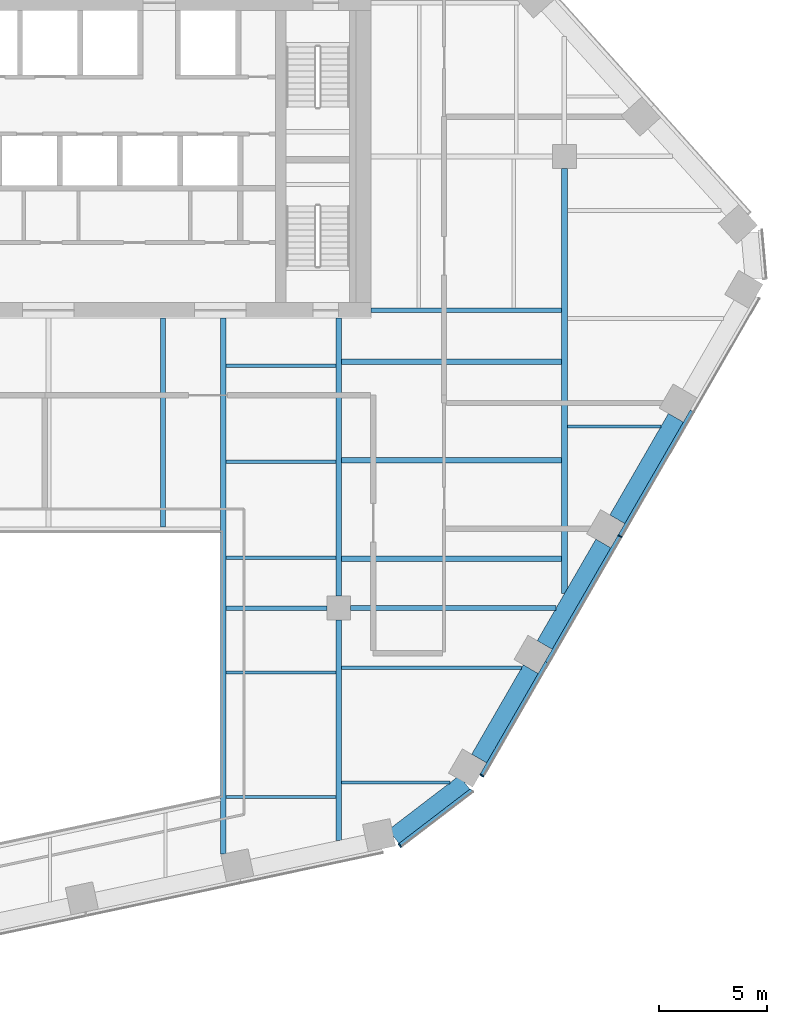
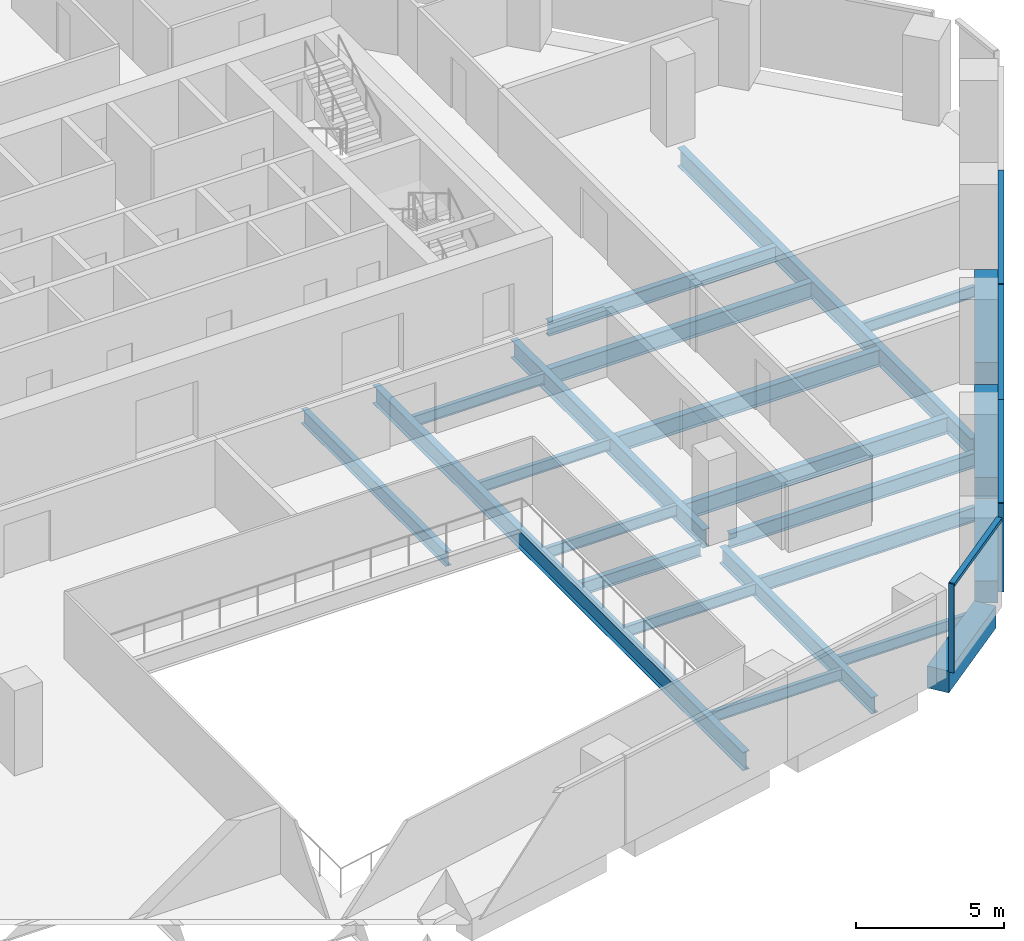
# One storey, part 5 of 16: 23 beams, 7 members, 2 elements without a shape of their own.
"""IFC4 building model written with IfcOpenShell, lengths in metres."""

from ifc_helpers import new_model, si_unit, direction, frame, origin, origin_2d, place, context, subcontext, project, spatial, rectangle, i_section, extrude, material, layer, layer_set, material_profile, profile_set, type_object, element, aggregate, save


model = new_model("IFC4")

# Units and contexts
model_context = context("Model", 3, precision=1e-05, world=origin(), true_north=direction((0.0, 1.0)))
body_context = subcontext(model_context, "Body", "Model", "MODEL_VIEW")
ifc_project = project(units=[si_unit("LENGTHUNIT", "METRE"), si_unit("AREAUNIT", "SQUARE_METRE"), si_unit("VOLUMEUNIT", "CUBIC_METRE"), si_unit("PLANEANGLEUNIT", "RADIAN"), si_unit("MASSUNIT", "GRAM", prefix="KILO")], contexts=[model_context])

# Site, building, storey
site_placement = place(None, origin())
site = spatial("IfcSite", under=ifc_project, at=site_placement, CompositionType="ELEMENT")
building_placement = place(site_placement, origin())
building = spatial("IfcBuilding", under=site, at=building_placement, Name="Isthmus Gate Tower", CompositionType="ELEMENT")
storey_placement = place(building_placement, frame((0.0, 0.0, 192.699951171875)))
storey = spatial("IfcBuildingStorey", under=building, at=storey_placement, Name="L48", CompositionType="ELEMENT", Elevation=192.699951171875)

# Curtain wall, member
ifc_material_1 = material(Name="Aluminium, pale champagne anodised", Category="aluminium")
ifc_layer = layer(ifc_material_1, 0.199951171875)
ifc_layer_set = layer_set([ifc_layer], Name="CW-1 UNITISED CURTAIN WALL 200 DEEP")
curtain_wall_type = type_object("IfcCurtainWallType", Name="CW-1 UNITISED CURTAIN WALL 200 DEEP", PredefinedType="NOTDEFINED", material=ifc_layer_set)
curtain_wall_1_placement = place(storey_placement, origin())
curtain_wall_1 = element("IfcCurtainWall", 1, at=curtain_wall_1_placement, inside=storey, type_object=curtain_wall_type, Name="CW-1 S-SE L48", PredefinedType="NOTDEFINED")
ifc_material_2 = material(Name="Aluminium, pale champagne anodised", Category="aluminium")
ifc_material_profile_1 = material_profile(ifc_material_2, rectangle(XDim=0.06005859375, YDim=0.199951171875, at=origin_2d()), Name="60x200")
ifc_profile_set_1 = profile_set([ifc_material_profile_1], Name="Aluminium, pale champagne anodised")
member_type_1 = type_object("IfcMemberType", Name="CW-1 MULLION 60 X 200", PredefinedType="MULLION", material=ifc_profile_set_1)
member_1_placement = place(storey_placement, frame((16.346435546875, -24.5419921875, 0.0), z_axis=(0.0, 0.0, 1.0), x_axis=(0.794188594387, 0.607671355706, 0.0)))
member_1 = element("IfcMember", 2, at=member_1_placement, type_object=member_type_1, Name="CW-1 mullion", PredefinedType="MULLION", context=body_context, shape_type="SweptSolid", body=[
    extrude(rectangle(XDim=0.06005859375, YDim=0.199951171875, at=origin_2d()), origin(), (0.0, 0.0, 1.0), 3.650146484375),
])

# Curtain wall, members
curtain_wall_2_placement = place(storey_placement, origin())
curtain_wall_2 = element("IfcCurtainWall", 3, at=curtain_wall_2_placement, inside=storey, type_object=curtain_wall_type, Name="CW-1 SE L48", PredefinedType="NOTDEFINED")
member_2_placement = place(storey_placement, frame((20.156005859375, -21.288818359375, 0.0), z_axis=(0.0, 0.0, 1.0), x_axis=(0.5, 0.866025403784, 0.0)))
member_2 = element("IfcMember", 4, at=member_2_placement, type_object=member_type_1, Name="CW-1 mullion", PredefinedType="MULLION", context=body_context, shape_type="SweptSolid", body=[
    extrude(rectangle(XDim=0.06005859375, YDim=0.199951171875, at=origin_2d()), origin(), (0.0, 0.0, 1.0), 3.650146484375),
])
member_3_placement = place(storey_placement, frame((26.5810546875, -10.16015625, 0.0), z_axis=(0.0, 0.0, 1.0), x_axis=(0.5, 0.866025403784, 0.0)))
member_3 = element("IfcMember", 5, at=member_3_placement, type_object=member_type_1, Name="CW-1 mullion", PredefinedType="MULLION", context=body_context, shape_type="SweptSolid", body=[
    extrude(rectangle(XDim=0.06005859375, YDim=0.199951171875, at=origin_2d()), origin(), (0.0, 0.0, 1.0), 3.650146484375),
])

# Member
ifc_material_3 = material(Name="Aluminium, pale champagne anodised", Category="aluminium")
ifc_material_profile_2 = material_profile(ifc_material_3, rectangle(XDim=0.199951171875, YDim=0.139892578125, at=origin_2d()), Name="200x140")
ifc_profile_set_2 = profile_set([ifc_material_profile_2], Name="Aluminium, pale champagne anodised")
member_type_2 = type_object("IfcMemberType", Name="CW-1 TRANSOM 200 X 140", PredefinedType="USERDEFINED", material=ifc_profile_set_2)
member_4_placement = place(storey_placement, frame((16.3701171875, -24.52392578125, 3.580078125), z_axis=(0.79419705805, 0.607660294066, 0.0), x_axis=(-0.607660294066, 0.79419705805, 0.0)))
member_4 = element("IfcMember", 6, at=member_4_placement, type_object=member_type_2, Name="CW-1 transom", ObjectType="TRANSOM", PredefinedType="USERDEFINED", context=body_context, shape_type="SweptSolid", body=[
    extrude(rectangle(XDim=0.199951171875, YDim=0.139892578125, at=origin_2d()), origin(), (0.0, 0.0, 1.0), 4.181640625),
])

aggregate(curtain_wall_1, [member_1, member_4])

member_5_placement = place(storey_placement, frame((20.171142578125, -21.2626953125, 3.580078125), z_axis=(0.499990697366, 0.866030774596, 0.0), x_axis=(-0.866030774596, 0.499990697366, 0.0)))
member_5 = element("IfcMember", 7, at=member_5_placement, type_object=member_type_2, Name="CW-1 transom", ObjectType="TRANSOM", PredefinedType="USERDEFINED", context=body_context, shape_type="SweptSolid", body=[
    extrude(rectangle(XDim=0.199951171875, YDim=0.139892578125, at=origin_2d()), origin(), (0.0, 0.0, 1.0), 6.0400390625),
])

member_6_placement = place(storey_placement, frame((23.191162109375, -16.03173828125, 3.580078125), z_axis=(0.499997969693, 0.866026575979, 0.0), x_axis=(-0.866026575979, 0.499997969693, 0.0)))
member_6 = element("IfcMember", 8, at=member_6_placement, type_object=member_type_2, Name="CW-1 transom", ObjectType="TRANSOM", PredefinedType="USERDEFINED", context=body_context, shape_type="SweptSolid", body=[
    extrude(rectangle(XDim=0.199951171875, YDim=0.139892578125, at=origin_2d()), origin(), (0.0, 0.0, 1.0), 6.75),
])

member_7_placement = place(storey_placement, frame((26.59619140625, -10.134033203125, 3.580078125), z_axis=(0.499997283838, 0.866026971956, 0.0), x_axis=(-0.866026971956, 0.499997283838, 0.0)))
member_7 = element("IfcMember", 9, at=member_7_placement, type_object=member_type_2, Name="CW-1 transom", ObjectType="TRANSOM", PredefinedType="USERDEFINED", context=body_context, shape_type="SweptSolid", body=[
    extrude(rectangle(XDim=0.199951171875, YDim=0.139892578125, at=origin_2d()), origin(), (0.0, 0.0, 1.0), 6.68994140625),
])

aggregate(curtain_wall_2, [member_2, member_5, member_6, member_3, member_7])

# Beams
ifc_material_4 = material(Name="Concrete f'c 60 MPa", Category="concrete")
ifc_material_profile_3 = material_profile(ifc_material_4, rectangle(XDim=0.800048828125, YDim=0.89990234375, at=origin_2d()), Name="RC 800X900")
ifc_profile_set_3 = profile_set([ifc_material_profile_3], Name="Concrete f'c 60 MPa")
beam_type_1 = type_object("IfcBeamType", Name="RC SPANDREL 800 X 900", PredefinedType="SPANDREL", material=ifc_profile_set_3)
beam_1_placement = place(storey_placement, frame((29.18310546875, -4.653076171875, -0.449951171875), z_axis=(-0.49996933381, -0.866043108194, 0.0), x_axis=(0.866043108194, -0.49996933381, 0.0)))
element("IfcBeam", 10, at=beam_1_placement, inside=storey, type_object=beam_type_1, Name="str-spandrel-L48-07", PredefinedType="SPANDREL", context=body_context, shape_type="SweptSolid", body=[
    extrude(rectangle(XDim=0.800048828125, YDim=0.89990234375, at=origin_2d()), origin(), (0.0, 0.0, 1.0), 5.449951171875),
])
beam_2_placement = place(storey_placement, frame((25.80810546875, -10.4990234375, -0.449951171875), z_axis=(-0.500002931134, -0.866023711487, 0.0), x_axis=(0.866023711487, -0.500002931134, 0.0)))
element("IfcBeam", 11, at=beam_2_placement, inside=storey, type_object=beam_type_1, Name="str-spandrel-L48-08", PredefinedType="SPANDREL", context=body_context, shape_type="SweptSolid", body=[
    extrude(rectangle(XDim=0.800048828125, YDim=0.89990234375, at=origin_2d()), origin(), (0.0, 0.0, 1.0), 5.4501953125),
])
beam_3_placement = place(storey_placement, frame((22.43310546875, -16.3447265625, -0.449951171875), z_axis=(-0.500017431331, -0.866015339567, 0.0), x_axis=(0.866015339567, -0.500017431331, 0.0)))
element("IfcBeam", 12, at=beam_3_placement, inside=storey, type_object=beam_type_1, Name="str-spandrel-L48-09", PredefinedType="SPANDREL", context=body_context, shape_type="SweptSolid", body=[
    extrude(rectangle(XDim=0.800048828125, YDim=0.89990234375, at=origin_2d()), origin(), (0.0, 0.0, 1.0), 4.800048828125),
])
beam_4_placement = place(storey_placement, frame((19.354248046875, -21.611083984375, -0.449951171875), z_axis=(-0.794205941875, -0.607648682949, 0.0), x_axis=(0.607648682949, -0.794205941875, 0.0)))
element("IfcBeam", 13, at=beam_4_placement, inside=storey, type_object=beam_type_1, Name="str-spandrel-L48-10", PredefinedType="SPANDREL", context=body_context, shape_type="SweptSolid", body=[
    extrude(rectangle(XDim=0.800048828125, YDim=0.89990234375, at=origin_2d()), origin(), (0.0, 0.0, 1.0), 4.15234375),
])
ifc_material_5 = material(Name="Structural steel ASTM A992 Gr 50", Category="steel")
ifc_material_profile_4 = material_profile(ifc_material_5, i_section(OverallWidth=0.15234375, OverallDepth=0.45068359375, WebThickness=0.0078125, FlangeThickness=0.010986328125, at=origin_2d()), Name="W18X35")
ifc_profile_set_4 = profile_set([ifc_material_profile_4], Name="Structural steel ASTM A992 Gr 50")
beam_type_2 = type_object("IfcBeamType", Name="STEEL FLOOR BEAM W18X35", PredefinedType="JOIST", material=ifc_profile_set_4)
for number, where, z_axis, x_axis, name in (
    (14, (8.263427734375, -22.291015625, -0.375244140625), (1.0, 0.0, 0.0), (0.0, 1.0, 0.0), "str-beam-L48-09-00"),
    (15, (8.263427734375, -16.500244140625, -0.375244140625), (1.0, 0.0, 0.0), (0.0, 1.0, 0.0), "str-beam-L48-09-01"),
):
    element("IfcBeam", number, at=place(storey_placement, frame(where, z_axis=z_axis, x_axis=x_axis)), inside=storey, type_object=beam_type_2, Name=name, PredefinedType="JOIST", context=body_context, shape_type="SweptSolid", body=[
        extrude(i_section(OverallWidth=0.15234375, OverallDepth=0.45068359375, WebThickness=0.0078125, FlangeThickness=0.010986328125, at=origin_2d()), origin(), (0.0, 0.0, 1.0), 5.109619140625),
    ])
for number, where, z_axis, x_axis, name in (
    (16, (8.263427734375, -11.16259765625, -0.375244140625), (1.0, 0.0, 0.0), (0.0, 1.0, 0.0), "str-beam-L48-10-00"),
    (17, (8.263427734375, -6.697509765625, -0.375244140625), (1.0, 0.0, 0.0), (0.0, 1.0, 0.0), "str-beam-L48-10-01"),
    (18, (8.263427734375, -2.232421875, -0.375244140625), (1.0, 0.0, 0.0), (0.0, 1.0, 0.0), "str-beam-L48-10-02"),
):
    element("IfcBeam", number, at=place(storey_placement, frame(where, z_axis=z_axis, x_axis=x_axis)), inside=storey, type_object=beam_type_2, Name=name, PredefinedType="JOIST", context=body_context, shape_type="SweptSolid", body=[
        extrude(i_section(OverallWidth=0.15234375, OverallDepth=0.45068359375, WebThickness=0.0078125, FlangeThickness=0.010986328125, at=origin_2d()), origin(), (0.0, 0.0, 1.0), 5.104736328125),
    ])
beam_5_placement = place(storey_placement, frame((13.626953125, -21.61767578125, -0.375244140625), z_axis=(1.0, 0.0, 0.0), x_axis=(0.0, 1.0, 0.0)))
element("IfcBeam", 19, at=beam_5_placement, inside=storey, type_object=beam_type_2, Name="str-beam-L48-11-00", PredefinedType="JOIST", context=body_context, shape_type="SweptSolid", body=[
    extrude(i_section(OverallWidth=0.15234375, OverallDepth=0.45068359375, WebThickness=0.0078125, FlangeThickness=0.010986328125, at=origin_2d()), origin(), (0.0, 0.0, 1.0), 5.060302734375),
])
beam_6_placement = place(storey_placement, frame((24.13330078125, -5.0625, -0.375244140625), z_axis=(1.0, 0.0, 0.0), x_axis=(0.0, 1.0, 0.0)))
element("IfcBeam", 20, at=beam_6_placement, inside=storey, type_object=beam_type_2, Name="str-beam-L48-16-00", PredefinedType="JOIST", context=body_context, shape_type="SweptSolid", body=[
    extrude(i_section(OverallWidth=0.15234375, OverallDepth=0.45068359375, WebThickness=0.0078125, FlangeThickness=0.010986328125, at=origin_2d()), origin(), (0.0, 0.0, 1.0), 4.351806640625),
])
ifc_material_6 = material(Name="Structural steel ASTM A992 Gr 50", Category="steel")
ifc_material_profile_5 = material_profile(ifc_material_6, i_section(OverallWidth=0.177734375, OverallDepth=0.60009765625, WebThickness=0.009521484375, FlangeThickness=0.0126953125, at=origin_2d()), Name="W24X55")
ifc_profile_set_5 = profile_set([ifc_material_profile_5], Name="Structural steel ASTM A992 Gr 50")
beam_type_3 = type_object("IfcBeamType", Name="STEEL FLOOR BEAM W24X55", PredefinedType="JOIST", material=ifc_profile_set_5)
beam_7_placement = place(storey_placement, frame((13.626953125, -16.2822265625, -0.449951171875), z_axis=(1.0, 0.0, 0.0), x_axis=(0.0, 1.0, 0.0)))
element("IfcBeam", 21, at=beam_7_placement, inside=storey, type_object=beam_type_3, Name="str-beam-L48-11-01", PredefinedType="JOIST", context=body_context, shape_type="SweptSolid", body=[
    extrude(i_section(OverallWidth=0.177734375, OverallDepth=0.60009765625, WebThickness=0.009521484375, FlangeThickness=0.0126953125, at=origin_2d()), origin(), (0.0, 0.0, 1.0), 8.38037109375),
])
ifc_material_7 = material(Name="Structural steel ASTM A992 Gr 50", Category="steel")
ifc_material_profile_6 = material_profile(ifc_material_7, i_section(OverallWidth=0.228515625, OverallDepth=0.603271484375, WebThickness=0.010986328125, FlangeThickness=0.014404296875, at=origin_2d()), Name="W24X68")
ifc_profile_set_6 = profile_set([ifc_material_profile_6], Name="Structural steel ASTM A992 Gr 50")
beam_type_4 = type_object("IfcBeamType", Name="STEEL FLOOR BEAM W24X68", PredefinedType="JOIST", material=ifc_profile_set_6)
beam_8_placement = place(storey_placement, frame((5.333251953125, -9.7333984375, -0.45166015625), z_axis=(0.0, 1.0, 0.0), x_axis=(-1.0, 0.0, 0.0)))
element("IfcBeam", 22, at=beam_8_placement, inside=storey, type_object=beam_type_4, Name="str-beam-L48-06-02", PredefinedType="JOIST", context=body_context, shape_type="SweptSolid", body=[
    extrude(i_section(OverallWidth=0.228515625, OverallDepth=0.603271484375, WebThickness=0.010986328125, FlangeThickness=0.014404296875, at=origin_2d()), origin(), (0.0, 0.0, 1.0), 9.7333984375),
])
ifc_material_8 = material(Name="Structural steel ASTM A992 Gr 50", Category="steel")
ifc_material_profile_7 = material_profile(ifc_material_8, i_section(OverallWidth=0.25390625, OverallDepth=0.679443359375, WebThickness=0.010986328125, FlangeThickness=0.015869140625, at=origin_2d()), Name="W27X84")
ifc_profile_set_7 = profile_set([ifc_material_profile_7], Name="Structural steel ASTM A992 Gr 50")
beam_type_5 = type_object("IfcBeamType", Name="STEEL FLOOR BEAM W27X84", PredefinedType="JOIST", material=ifc_profile_set_7)
for number, where, z_axis, x_axis, name in (
    (23, (13.6318359375, -11.210693359375, -0.48974609375), (1.0, 0.0, 0.0), (0.0, 1.0, 0.0), "str-beam-L48-12-00"),
    (24, (13.6318359375, -6.632080078125, -0.48974609375), (1.0, 0.0, 0.0), (0.0, 1.0, 0.0), "str-beam-L48-12-01"),
    (25, (13.6318359375, -2.053466796875, -0.48974609375), (1.0, 0.0, 0.0), (0.0, 1.0, 0.0), "str-beam-L48-12-02"),
):
    element("IfcBeam", number, at=place(storey_placement, frame(where, z_axis=z_axis, x_axis=x_axis)), inside=storey, type_object=beam_type_5, Name=name, PredefinedType="JOIST", context=body_context, shape_type="SweptSolid", body=[
        extrude(i_section(OverallWidth=0.25390625, OverallDepth=0.679443359375, WebThickness=0.010986328125, FlangeThickness=0.015869140625, at=origin_2d()), origin(), (0.0, 0.0, 1.0), 10.23486328125),
    ])
ifc_material_9 = material(Name="Structural steel ASTM A992 Gr 50", Category="steel")
ifc_material_profile_8 = material_profile(ifc_material_9, i_section(OverallWidth=0.20947265625, OverallDepth=0.533447265625, WebThickness=0.009521484375, FlangeThickness=0.015869140625, at=origin_2d()), Name="W21X62")
ifc_profile_set_8 = profile_set([ifc_material_profile_8], Name="Structural steel ASTM A992 Gr 50")
beam_type_6 = type_object("IfcBeamType", Name="STEEL GIRDER W21X62", PredefinedType="BEAM", material=ifc_profile_set_8)
beam_9_placement = place(storey_placement, frame((8.263427734375, -13.5, -0.416748046875), z_axis=(1.0, 0.0, 0.0), x_axis=(0.0, 1.0, 0.0)))
element("IfcBeam", 26, at=beam_9_placement, inside=storey, type_object=beam_type_6, Name="str-girder-L48-03", PredefinedType="BEAM", context=body_context, shape_type="SweptSolid", body=[
    extrude(i_section(OverallWidth=0.20947265625, OverallDepth=0.533447265625, WebThickness=0.009521484375, FlangeThickness=0.015869140625, at=origin_2d()), origin(), (0.0, 0.0, 1.0), 4.6865234375),
])
ifc_material_10 = material(Name="Structural steel ASTM A992 Gr 50", Category="steel")
ifc_material_profile_9 = material_profile(ifc_material_10, i_section(OverallWidth=0.228515625, OverallDepth=0.6064453125, WebThickness=0.010986328125, FlangeThickness=0.017578125, at=origin_2d()), Name="W24X76")
ifc_profile_set_9 = profile_set([ifc_material_profile_9], Name="Structural steel ASTM A992 Gr 50")
beam_type_7 = type_object("IfcBeamType", Name="STEEL GIRDER W24X76", PredefinedType="BEAM", material=ifc_profile_set_9)
beam_10_placement = place(storey_placement, frame((14.050048828125, -13.5, -0.453125), z_axis=(1.0, 0.0, 0.0), x_axis=(0.0, 1.0, 0.0)))
element("IfcBeam", 27, at=beam_10_placement, inside=storey, type_object=beam_type_7, Name="str-girder-L48-04", PredefinedType="BEAM", context=body_context, shape_type="SweptSolid", body=[
    extrude(i_section(OverallWidth=0.228515625, OverallDepth=0.6064453125, WebThickness=0.010986328125, FlangeThickness=0.017578125, at=origin_2d()), origin(), (0.0, 0.0, 1.0), 9.5634765625),
])
beam_11_placement = place(storey_placement, frame((15.0, 0.35009765625, -0.453125), z_axis=(1.0, 0.0, 0.0), x_axis=(0.0, 1.0, 0.0)))
element("IfcBeam", 28, at=beam_11_placement, inside=storey, type_object=beam_type_7, Name="str-girder-L48-14", PredefinedType="BEAM", context=body_context, shape_type="SweptSolid", body=[
    extrude(i_section(OverallWidth=0.228515625, OverallDepth=0.6064453125, WebThickness=0.010986328125, FlangeThickness=0.017578125, at=origin_2d()), origin(), (0.0, 0.0, 1.0), 8.86669921875),
])
ifc_material_11 = material(Name="Structural steel ASTM A992 Gr 50", Category="steel")
ifc_material_profile_10 = material_profile(ifc_material_11, i_section(OverallWidth=0.25390625, OverallDepth=0.679443359375, WebThickness=0.010986328125, FlangeThickness=0.015869140625, at=origin_2d()), Name="W27X84")
ifc_profile_set_10 = profile_set([ifc_material_profile_10], Name="Structural steel ASTM A992 Gr 50")
beam_type_8 = type_object("IfcBeamType", Name="STEEL GIRDER W27X84", PredefinedType="BEAM", material=ifc_profile_set_10)
beam_12_placement = place(storey_placement, frame((13.5, -24.3125, -0.48974609375), z_axis=(0.0, 1.0, 0.0), x_axis=(-1.0, 0.0, 0.0)))
element("IfcBeam", 29, at=beam_12_placement, inside=storey, type_object=beam_type_8, Name="str-girder-L48-09", PredefinedType="BEAM", context=body_context, shape_type="SweptSolid", body=[
    extrude(i_section(OverallWidth=0.25390625, OverallDepth=0.679443359375, WebThickness=0.010986328125, FlangeThickness=0.015869140625, at=origin_2d()), origin(), (0.0, 0.0, 1.0), 10.262451171875),
])
ifc_material_12 = material(Name="Structural steel ASTM A992 Gr 50", Category="steel")
ifc_material_profile_11 = material_profile(ifc_material_12, i_section(OverallWidth=0.2666015625, OverallDepth=0.7587890625, WebThickness=0.014404296875, FlangeThickness=0.01904296875, at=origin_2d()), Name="W30X108")
ifc_profile_set_11 = profile_set([ifc_material_profile_11], Name="Structural steel ASTM A992 Gr 50")
beam_type_9 = type_object("IfcBeamType", Name="STEEL GIRDER W30X108", PredefinedType="BEAM", material=ifc_profile_set_11)
beam_13_placement = place(storey_placement, frame((24.0, -12.830810546875, -0.529296875), z_axis=(0.0, 1.0, 0.0), x_axis=(-1.0, 0.0, 0.0)))
element("IfcBeam", 30, at=beam_13_placement, inside=storey, type_object=beam_type_9, Name="str-girder-L48-11", PredefinedType="BEAM", context=body_context, shape_type="SweptSolid", body=[
    extrude(i_section(OverallWidth=0.2666015625, OverallDepth=0.7587890625, WebThickness=0.014404296875, FlangeThickness=0.01904296875, at=origin_2d()), origin(), (0.0, 0.0, 1.0), 19.78076171875),
])
ifc_material_13 = material(Name="Structural steel ASTM A992 Gr 50", Category="steel")
ifc_material_profile_12 = material_profile(ifc_material_13, i_section(OverallWidth=0.263427734375, OverallDepth=0.749267578125, WebThickness=0.0126953125, FlangeThickness=0.015869140625, at=origin_2d()), Name="W30X90")
ifc_profile_set_12 = profile_set([ifc_material_profile_12], Name="Structural steel ASTM A992 Gr 50")
beam_type_10 = type_object("IfcBeamType", Name="STEEL GIRDER W30X90", PredefinedType="BEAM", material=ifc_profile_set_12)
beam_14_placement = place(storey_placement, frame((13.5, -12.949951171875, -0.524658203125), z_axis=(0.0, 1.0, 0.0), x_axis=(-1.0, 0.0, 0.0)))
element("IfcBeam", 31, at=beam_14_placement, inside=storey, type_object=beam_type_10, Name="str-girder-L48-10", PredefinedType="BEAM", context=body_context, shape_type="SweptSolid", body=[
    extrude(i_section(OverallWidth=0.263427734375, OverallDepth=0.749267578125, WebThickness=0.0126953125, FlangeThickness=0.015869140625, at=origin_2d()), origin(), (0.0, 0.0, 1.0), 12.949951171875),
])
ifc_material_14 = material(Name="Structural steel ASTM A992 Gr 50", Category="steel")
ifc_material_profile_13 = material_profile(ifc_material_14, i_section(OverallWidth=0.263427734375, OverallDepth=0.749267578125, WebThickness=0.0126953125, FlangeThickness=0.015869140625, at=origin_2d()), Name="W30X90")
ifc_profile_set_13 = profile_set([ifc_material_profile_13], Name="Structural steel ASTM A992 Gr 50")
beam_type_11 = type_object("IfcBeamType", Name="STEEL TRIMMER W30X90", PredefinedType="BEAM", material=ifc_profile_set_13)
beam_15_placement = place(storey_placement, frame((8.1318359375, -24.9423828125, -0.524658203125), z_axis=(0.0, 1.0, 0.0), x_axis=(-1.0, 0.0, 0.0)))
element("IfcBeam", 32, at=beam_15_placement, inside=storey, type_object=beam_type_11, Name="str-trimmer-L48-01", PredefinedType="BEAM", context=body_context, shape_type="SweptSolid", body=[
    extrude(i_section(OverallWidth=0.263427734375, OverallDepth=0.749267578125, WebThickness=0.0126953125, FlangeThickness=0.015869140625, at=origin_2d()), origin(), (0.0, 0.0, 1.0), 24.9423828125),
])

save(model, "model.ifc")
